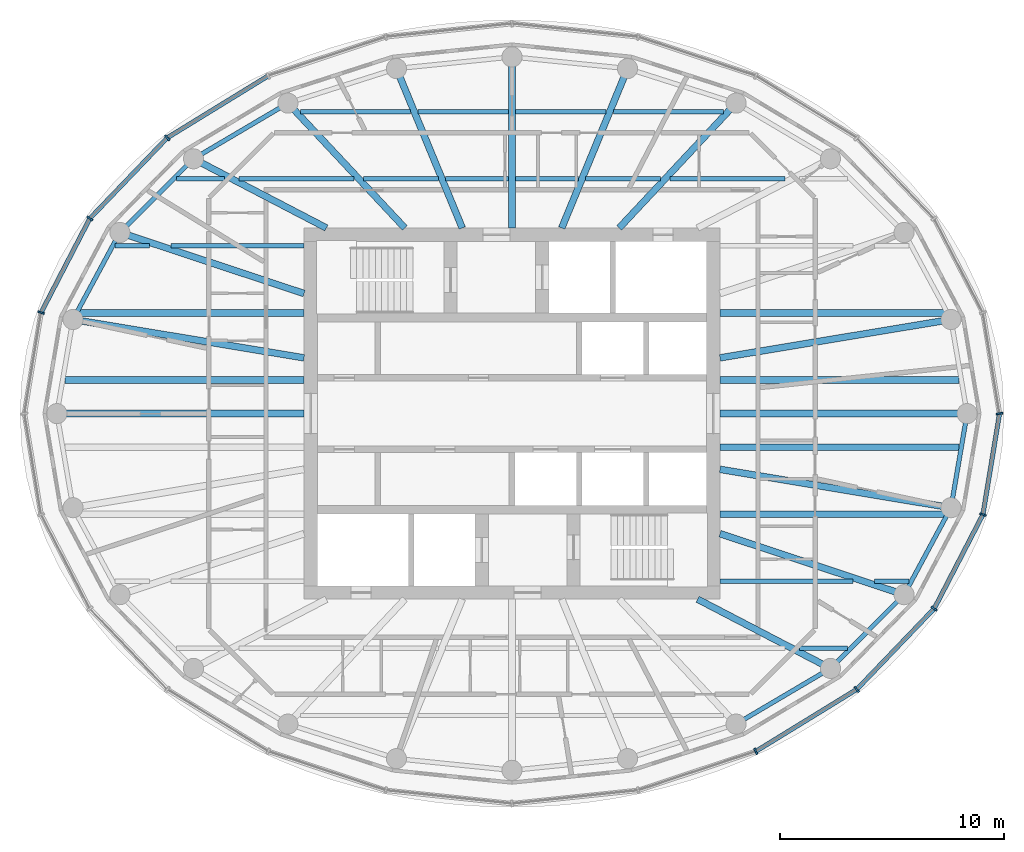
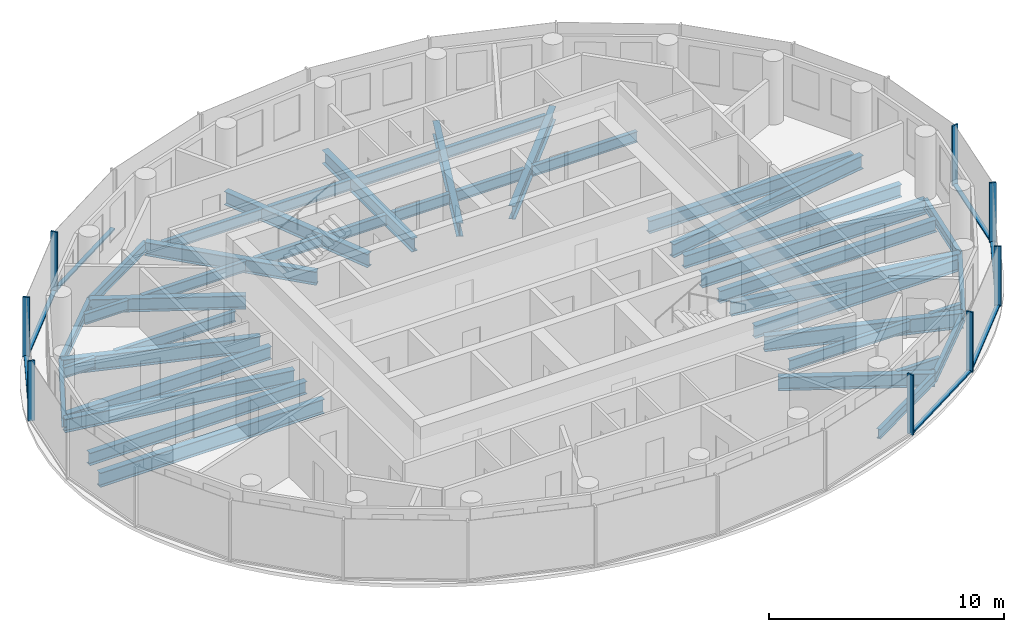
# One storey, part 2 of 11: 43 beams, 15 members, 3 elements without a shape of their own.
"""IFC4 building model written with IfcOpenShell, lengths in metres."""

from ifc_helpers import new_model, si_unit, direction, frame, origin, origin_2d, place, context, subcontext, project, spatial, rectangle, i_section, extrude, material, material_profile, profile_set, type_object, element, aggregate, save


model = new_model("IFC4")

# Units and contexts
model_context = context("Model", 3, precision=1e-05, world=origin(), true_north=direction((0.0, 1.0)))
body_context = subcontext(model_context, "Body", "Model", "MODEL_VIEW")
ifc_project = project(units=[si_unit("LENGTHUNIT", "METRE"), si_unit("AREAUNIT", "SQUARE_METRE"), si_unit("VOLUMEUNIT", "CUBIC_METRE"), si_unit("PLANEANGLEUNIT", "RADIAN"), si_unit("MASSUNIT", "GRAM", prefix="KILO")], contexts=[model_context])

# Site, building, storey
site_placement = place(None, origin())
site = spatial("IfcSite", under=ifc_project, at=site_placement, CompositionType="ELEMENT")
building_placement = place(site_placement, origin())
building = spatial("IfcBuilding", under=site, at=building_placement, Name="Hankou Lantern Tower", CompositionType="ELEMENT")
storey_placement = place(building_placement, frame((0.0, 0.0, 206.10009765625)))
storey = spatial("IfcBuildingStorey", under=building, at=storey_placement, Name="L55", CompositionType="ELEMENT", Elevation=206.10009765625)

# Beams
ifc_material_1 = material(Name="Steel Q355B", Category="steel")
ifc_material_profile_1 = material_profile(ifc_material_1, i_section(OverallWidth=0.199951171875, OverallDepth=0.5, WebThickness=0.010009765625, FlangeThickness=0.01611328125, FilletRadius=0.012939453125, at=origin_2d()), Name="HN500x200x10x16")
ifc_profile_set_1 = profile_set([ifc_material_profile_1], Name="Steel Q355B")
beam_type_1 = type_object("IfcBeamType", Name="EB5 RING BEAM HN500x200x10x16", PredefinedType="SPANDREL", material=ifc_profile_set_1)
beam_1_placement = place(storey_placement, frame((-10.01904296875, 13.8828125, -0.43017578125), z_axis=(-0.861422897323, -0.507888365655, 0.0), x_axis=(0.507888365655, -0.861422897323, 0.0)))
element("IfcBeam", 1, at=beam_1_placement, inside=storey, type_object=beam_type_1, Name="Ring beam R09-R10 L55", PredefinedType="SPANDREL", context=body_context, shape_type="SweptSolid", body=[
    extrude(i_section(OverallWidth=0.199951171875, OverallDepth=0.5, WebThickness=0.010009765625, FlangeThickness=0.01611328125, FilletRadius=0.012939453125, at=origin_2d()), origin(), (0.0, 0.0, 1.0), 4.901611328125),
])
beam_2_placement = place(storey_placement, frame((-14.241455078125, 11.393310546875, -0.43017578125), z_axis=(-0.706608588034, -0.707604623583, 0.0), x_axis=(0.707604623583, -0.706608588034, 0.0)))
element("IfcBeam", 2, at=beam_2_placement, inside=storey, type_object=beam_type_1, Name="Ring beam R10-R11 L55", PredefinedType="SPANDREL", context=body_context, shape_type="SweptSolid", body=[
    extrude(i_section(OverallWidth=0.199951171875, OverallDepth=0.5, WebThickness=0.010009765625, FlangeThickness=0.01611328125, FilletRadius=0.012939453125, at=origin_2d()), origin(), (0.0, 0.0, 1.0), 4.6572265625),
])
beam_3_placement = place(storey_placement, frame((-17.5322265625, 8.097900390625, -0.43017578125), z_axis=(-0.474491806611, -0.880259919262, 0.0), x_axis=(0.880259919262, -0.474491806611, 0.0)))
element("IfcBeam", 3, at=beam_3_placement, inside=storey, type_object=beam_type_1, Name="Ring beam R11-R12 L55", PredefinedType="SPANDREL", context=body_context, shape_type="SweptSolid", body=[
    extrude(i_section(OverallWidth=0.199951171875, OverallDepth=0.5, WebThickness=0.010009765625, FlangeThickness=0.01611328125, FilletRadius=0.012939453125, at=origin_2d()), origin(), (0.0, 0.0, 1.0), 4.419189453125),
])
beam_4_placement = place(storey_placement, frame((10.01904296875, -13.8828125, -0.43017578125), z_axis=(0.861422897323, 0.507888365655, 0.0), x_axis=(-0.507888365655, 0.861422897323, 0.0)))
element("IfcBeam", 4, at=beam_4_placement, inside=storey, type_object=beam_type_1, Name="Ring beam R21-R22 L55", PredefinedType="SPANDREL", context=body_context, shape_type="SweptSolid", body=[
    extrude(i_section(OverallWidth=0.199951171875, OverallDepth=0.5, WebThickness=0.010009765625, FlangeThickness=0.01611328125, FilletRadius=0.012939453125, at=origin_2d()), origin(), (0.0, 0.0, 1.0), 4.901611328125),
])
beam_5_placement = place(storey_placement, frame((14.241455078125, -11.393310546875, -0.43017578125), z_axis=(0.706608588034, 0.707604623583, 0.0), x_axis=(-0.707604623583, 0.706608588034, 0.0)))
element("IfcBeam", 5, at=beam_5_placement, inside=storey, type_object=beam_type_1, Name="Ring beam R22-R23 L55", PredefinedType="SPANDREL", context=body_context, shape_type="SweptSolid", body=[
    extrude(i_section(OverallWidth=0.199951171875, OverallDepth=0.5, WebThickness=0.010009765625, FlangeThickness=0.01611328125, FilletRadius=0.012939453125, at=origin_2d()), origin(), (0.0, 0.0, 1.0), 4.6572265625),
])
beam_6_placement = place(storey_placement, frame((17.5322265625, -8.097900390625, -0.43017578125), z_axis=(0.474491806611, 0.880259919262, 0.0), x_axis=(-0.880259919262, 0.474491806611, 0.0)))
element("IfcBeam", 6, at=beam_6_placement, inside=storey, type_object=beam_type_1, Name="Ring beam R23-R24 L55", PredefinedType="SPANDREL", context=body_context, shape_type="SweptSolid", body=[
    extrude(i_section(OverallWidth=0.199951171875, OverallDepth=0.5, WebThickness=0.010009765625, FlangeThickness=0.01611328125, FilletRadius=0.012939453125, at=origin_2d()), origin(), (0.0, 0.0, 1.0), 4.419189453125),
])
beam_7_placement = place(storey_placement, frame((19.629150390625, -4.207763671875, -0.43017578125), z_axis=(0.168876512999, 0.98563721691, 0.0), x_axis=(-0.98563721691, 0.168876512999, 0.0)))
element("IfcBeam", 7, at=beam_7_placement, inside=storey, type_object=beam_type_1, Name="Ring beam R24-R01 L55", PredefinedType="SPANDREL", context=body_context, shape_type="SweptSolid", body=[
    extrude(i_section(OverallWidth=0.199951171875, OverallDepth=0.5, WebThickness=0.010009765625, FlangeThickness=0.01611328125, FilletRadius=0.012939453125, at=origin_2d()), origin(), (0.0, 0.0, 1.0), 4.26904296875),
])

# Curtain wall, member
ifc_material_2 = material(Name="Glass, dark grey tinted laminated", Category="glass")
curtain_wall_type = type_object("IfcCurtainWallType", Name="CWD OUTER SKIN SUITE", PredefinedType="USERDEFINED", material=ifc_material_2)
curtain_wall_1_placement = place(storey_placement, origin())
curtain_wall_1 = element("IfcCurtainWall", 8, at=curtain_wall_1_placement, inside=storey, type_object=curtain_wall_type, Name="CWD L55 OS1", ObjectType="OUTER SKIN SUITE", PredefinedType="USERDEFINED")
ifc_material_3 = material(Name="Aluminium, black anodised", Category="aluminium")
ifc_material_profile_2 = material_profile(ifc_material_3, rectangle(XDim=0.080078125, YDim=0.300048828125, at=origin_2d()), Name="MU1 80X300")
ifc_profile_set_2 = profile_set([ifc_material_profile_2], Name="Aluminium, black anodised")
member_type_1 = type_object("IfcMemberType", Name="MU1 OUTER SKIN MULLION 80X300", PredefinedType="MULLION", material=ifc_profile_set_2)
member_1_placement = place(storey_placement, frame((21.800048828125, 0.0, 0.0), z_axis=(0.0, 0.0, 1.0), x_axis=(-0.162381515188, 0.986728049427, 0.0)))
member_1 = element("IfcMember", 9, at=member_1_placement, type_object=member_type_1, Name="CWD mullion 1", PredefinedType="MULLION", context=body_context, shape_type="SweptSolid", body=[
    extrude(rectangle(XDim=0.080078125, YDim=0.300048828125, at=origin_2d()), origin(), (0.0, 0.0, 1.0), 3.119873046875),
])
aggregate(curtain_wall_1, [member_1])

# Curtain wall, members
curtain_wall_2_placement = place(storey_placement, origin())
curtain_wall_2 = element("IfcCurtainWall", 10, at=curtain_wall_2_placement, inside=storey, type_object=curtain_wall_type, Name="CWD L55 OS2", ObjectType="OUTER SKIN SUITE", PredefinedType="USERDEFINED")
member_2_placement = place(storey_placement, frame((-15.4150390625, 12.33203125, 0.0), z_axis=(0.0, 0.0, 1.0), x_axis=(-0.780868809444, -0.624695047553, 0.0)))
member_2 = element("IfcMember", 11, at=member_2_placement, type_object=member_type_1, Name="CWD mullion 4", PredefinedType="MULLION", context=body_context, shape_type="SweptSolid", body=[
    extrude(rectangle(XDim=0.080078125, YDim=0.300048828125, at=origin_2d()), origin(), (0.0, 0.0, 1.0), 3.119873046875),
])
member_3_placement = place(storey_placement, frame((-18.87939453125, 8.719970703125, 0.0), z_axis=(0.0, 0.0, 1.0), x_axis=(-0.585205735974, -0.810884854084, 0.0)))
member_3 = element("IfcMember", 12, at=member_3_placement, type_object=member_type_1, Name="CWD mullion 5", PredefinedType="MULLION", context=body_context, shape_type="SweptSolid", body=[
    extrude(rectangle(XDim=0.080078125, YDim=0.300048828125, at=origin_2d()), origin(), (0.0, 0.0, 1.0), 3.119873046875),
])
member_4_placement = place(storey_placement, frame((-21.05712890625, 4.513916015625, 0.0), z_axis=(0.0, 0.0, 1.0), x_axis=(-0.317595577365, -0.94822626479, 0.0)))
member_4 = element("IfcMember", 13, at=member_4_placement, type_object=member_type_1, Name="CWD mullion 6", PredefinedType="MULLION", context=body_context, shape_type="SweptSolid", body=[
    extrude(rectangle(XDim=0.080078125, YDim=0.300048828125, at=origin_2d()), origin(), (0.0, 0.0, 1.0), 3.119873046875),
])

curtain_wall_3_placement = place(storey_placement, origin())
curtain_wall_3 = element("IfcCurtainWall", 14, at=curtain_wall_3_placement, inside=storey, type_object=curtain_wall_type, Name="CWD L55 OS4", ObjectType="OUTER SKIN SUITE", PredefinedType="USERDEFINED")
member_5_placement = place(storey_placement, frame((10.89990234375, -15.103515625, 0.0), z_axis=(0.0, 0.0, 1.0), x_axis=(0.907841299004, 0.419313934686, 0.0)))
member_5 = element("IfcMember", 15, at=member_5_placement, type_object=member_type_1, Name="CWD mullion 3", PredefinedType="MULLION", context=body_context, shape_type="SweptSolid", body=[
    extrude(rectangle(XDim=0.080078125, YDim=0.300048828125, at=origin_2d()), origin(), (0.0, 0.0, 1.0), 3.119873046875),
])
member_6_placement = place(storey_placement, frame((15.4150390625, -12.33203125, 0.0), z_axis=(0.0, 0.0, 1.0), x_axis=(0.780868809444, 0.624695047553, 0.0)))
member_6 = element("IfcMember", 16, at=member_6_placement, type_object=member_type_1, Name="CWD mullion 4", PredefinedType="MULLION", context=body_context, shape_type="SweptSolid", body=[
    extrude(rectangle(XDim=0.080078125, YDim=0.300048828125, at=origin_2d()), origin(), (0.0, 0.0, 1.0), 3.119873046875),
])
member_7_placement = place(storey_placement, frame((18.87939453125, -8.719970703125, 0.0), z_axis=(0.0, 0.0, 1.0), x_axis=(0.585205735974, 0.810884854084, 0.0)))
member_7 = element("IfcMember", 17, at=member_7_placement, type_object=member_type_1, Name="CWD mullion 5", PredefinedType="MULLION", context=body_context, shape_type="SweptSolid", body=[
    extrude(rectangle(XDim=0.080078125, YDim=0.300048828125, at=origin_2d()), origin(), (0.0, 0.0, 1.0), 3.119873046875),
])
member_8_placement = place(storey_placement, frame((21.05712890625, -4.513916015625, 0.0), z_axis=(0.0, 0.0, 1.0), x_axis=(0.317595577365, 0.94822626479, 0.0)))
member_8 = element("IfcMember", 18, at=member_8_placement, type_object=member_type_1, Name="CWD mullion 6", PredefinedType="MULLION", context=body_context, shape_type="SweptSolid", body=[
    extrude(rectangle(XDim=0.080078125, YDim=0.300048828125, at=origin_2d()), origin(), (0.0, 0.0, 1.0), 3.119873046875),
])

# Beams
ifc_material_4 = material(Name="Steel Q355B", Category="steel")
ifc_material_profile_3 = material_profile(ifc_material_4, i_section(OverallWidth=0.300048828125, OverallDepth=0.75, WebThickness=0.012939453125, FlangeThickness=0.02392578125, FilletRadius=0.01806640625, at=origin_2d()), Name="HN750x300x13x24")
ifc_profile_set_3 = profile_set([ifc_material_profile_3], Name="Steel Q355B")
beam_type_2 = type_object("IfcBeamType", Name="RB10 RADIAL BEAM HN750x300x13x24", PredefinedType="BEAM", material=ifc_profile_set_3)
for number, where, z_axis, x_axis, name in (
    (19, (9.300048828125, 0.0, -0.55517578125), (1.0, 0.0, 0.0), (0.0, 1.0, 0.0), "Radial beam R01 L55"),
    (20, (-9.300048828125, 0.0, -0.55517578125), (-1.0, 0.0, 0.0), (0.0, -1.0, 0.0), "Radial beam R13 L55"),
):
    element("IfcBeam", number, at=place(storey_placement, frame(where, z_axis=z_axis, x_axis=x_axis)), inside=storey, type_object=beam_type_2, Name=name, PredefinedType="BEAM", context=body_context, shape_type="SweptSolid", body=[
        extrude(i_section(OverallWidth=0.300048828125, OverallDepth=0.75, WebThickness=0.012939453125, FlangeThickness=0.02392578125, FilletRadius=0.01806640625, at=origin_2d()), origin(), (0.0, 0.0, 1.0), 11.050048828125),
    ])
ifc_material_5 = material(Name="Steel Q355B", Category="steel")
ifc_material_profile_4 = material_profile(ifc_material_5, i_section(OverallWidth=0.300048828125, OverallDepth=0.800048828125, WebThickness=0.013916015625, FlangeThickness=0.02587890625, FilletRadius=0.01806640625, at=origin_2d()), Name="HN800x300x14x26")
ifc_profile_set_4 = profile_set([ifc_material_profile_4], Name="Steel Q355B")
beam_type_3 = type_object("IfcBeamType", Name="RB11 RADIAL BEAM HN800x300x14x26", PredefinedType="BEAM", material=ifc_profile_set_4)
for number, where, z_axis, x_axis, name in (
    (21, (-9.300048828125, 5.369384765625, -0.580078125), (-0.949219608576, 0.314614263337, 0.0), (-0.314614263337, -0.949219608576, 0.0), "Radial beam R11 L55"),
    (22, (9.300048828125, -5.369384765625, -0.580078125), (0.949219608576, -0.314614263337, 0.0), (0.314614263337, 0.949219608576, 0.0), "Radial beam R23 L55"),
):
    element("IfcBeam", number, at=place(storey_placement, frame(where, z_axis=z_axis, x_axis=x_axis)), inside=storey, type_object=beam_type_3, Name=name, PredefinedType="BEAM", context=body_context, shape_type="SweptSolid", body=[
        extrude(i_section(OverallWidth=0.300048828125, OverallDepth=0.800048828125, WebThickness=0.013916015625, FlangeThickness=0.02587890625, FilletRadius=0.01806640625, at=origin_2d()), origin(), (0.0, 0.0, 1.0), 8.672607421875),
    ])
ifc_material_6 = material(Name="Steel Q355B", Category="steel")
ifc_material_profile_5 = material_profile(ifc_material_6, i_section(OverallWidth=0.300048828125, OverallDepth=0.699951171875, WebThickness=0.012939453125, FlangeThickness=0.02392578125, FilletRadius=0.01806640625, at=origin_2d()), Name="HN700x300x13x24")
ifc_profile_set_5 = profile_set([ifc_material_profile_5], Name="Steel Q355B")
beam_type_4 = type_object("IfcBeamType", Name="RB9 RADIAL BEAM HN700x300x13x24", PredefinedType="BEAM", material=ifc_profile_set_5)
beam_8_placement = place(storey_placement, frame((9.300048828125, 2.491943359375, -0.530029296875), z_axis=(0.986482007061, 0.163869612027, 0.0), x_axis=(-0.163869612027, 0.986482007061, 0.0)))
element("IfcBeam", 23, at=beam_8_placement, inside=storey, type_object=beam_type_4, Name="Radial beam R02 L55", PredefinedType="BEAM", context=body_context, shape_type="SweptSolid", body=[
    extrude(i_section(OverallWidth=0.300048828125, OverallDepth=0.699951171875, WebThickness=0.012939453125, FlangeThickness=0.02392578125, FilletRadius=0.01806640625, at=origin_2d()), origin(), (0.0, 0.0, 1.0), 10.470703125),
])
beam_9_placement = place(storey_placement, frame((4.7919921875, 8.300048828125, -0.530029296875), z_axis=(0.68346844743, 0.729980055459, 0.0), x_axis=(-0.729980055459, 0.68346844743, 0.0)))
element("IfcBeam", 24, at=beam_9_placement, inside=storey, type_object=beam_type_4, Name="Radial beam R05 L55", PredefinedType="BEAM", context=body_context, shape_type="SweptSolid", body=[
    extrude(i_section(OverallWidth=0.300048828125, OverallDepth=0.699951171875, WebThickness=0.012939453125, FlangeThickness=0.02392578125, FilletRadius=0.01806640625, at=origin_2d()), origin(), (0.0, 0.0, 1.0), 7.64794921875),
])
beam_10_placement = place(storey_placement, frame((2.223876953125, 8.300048828125, -0.530029296875), z_axis=(0.381706648123, 0.924283525104, 0.0), x_axis=(-0.924283525104, 0.381706648123, 0.0)))
element("IfcBeam", 25, at=beam_10_placement, inside=storey, type_object=beam_type_4, Name="Radial beam R06 L55", PredefinedType="BEAM", context=body_context, shape_type="SweptSolid", body=[
    extrude(i_section(OverallWidth=0.300048828125, OverallDepth=0.699951171875, WebThickness=0.012939453125, FlangeThickness=0.02392578125, FilletRadius=0.01806640625, at=origin_2d()), origin(), (0.0, 0.0, 1.0), 7.7109375),
])
beam_11_placement = place(storey_placement, frame((0.0, 8.300048828125, -0.530029296875), z_axis=(0.0, 1.0, 0.0), x_axis=(-1.0, 0.0, 0.0)))
element("IfcBeam", 26, at=beam_11_placement, inside=storey, type_object=beam_type_4, Name="Radial beam R07 L55", PredefinedType="BEAM", context=body_context, shape_type="SweptSolid", body=[
    extrude(i_section(OverallWidth=0.300048828125, OverallDepth=0.699951171875, WebThickness=0.012939453125, FlangeThickness=0.02392578125, FilletRadius=0.01806640625, at=origin_2d()), origin(), (0.0, 0.0, 1.0), 7.64990234375),
])
beam_12_placement = place(storey_placement, frame((-2.223876953125, 8.300048828125, -0.530029296875), z_axis=(-0.381706648123, 0.924283525104, 0.0), x_axis=(-0.924283525104, -0.381706648123, 0.0)))
element("IfcBeam", 27, at=beam_12_placement, inside=storey, type_object=beam_type_4, Name="Radial beam R08 L55", PredefinedType="BEAM", context=body_context, shape_type="SweptSolid", body=[
    extrude(i_section(OverallWidth=0.300048828125, OverallDepth=0.699951171875, WebThickness=0.012939453125, FlangeThickness=0.02392578125, FilletRadius=0.01806640625, at=origin_2d()), origin(), (0.0, 0.0, 1.0), 7.7109375),
])
beam_13_placement = place(storey_placement, frame((-4.7919921875, 8.300048828125, -0.530029296875), z_axis=(-0.68346844743, 0.729980055459, 0.0), x_axis=(-0.729980055459, -0.68346844743, 0.0)))
element("IfcBeam", 28, at=beam_13_placement, inside=storey, type_object=beam_type_4, Name="Radial beam R09 L55", PredefinedType="BEAM", context=body_context, shape_type="SweptSolid", body=[
    extrude(i_section(OverallWidth=0.300048828125, OverallDepth=0.699951171875, WebThickness=0.012939453125, FlangeThickness=0.02392578125, FilletRadius=0.01806640625, at=origin_2d()), origin(), (0.0, 0.0, 1.0), 7.64794921875),
])
beam_14_placement = place(storey_placement, frame((-8.300048828125, 8.300048828125, -0.530029296875), z_axis=(-0.886988734783, 0.461791061378, 0.0), x_axis=(-0.461791061378, -0.886988734783, 0.0)))
element("IfcBeam", 29, at=beam_14_placement, inside=storey, type_object=beam_type_4, Name="Radial beam R10 L55", PredefinedType="BEAM", context=body_context, shape_type="SweptSolid", body=[
    extrude(i_section(OverallWidth=0.300048828125, OverallDepth=0.699951171875, WebThickness=0.012939453125, FlangeThickness=0.02392578125, FilletRadius=0.01806640625, at=origin_2d()), origin(), (0.0, 0.0, 1.0), 6.698486328125),
])
beam_15_placement = place(storey_placement, frame((-9.300048828125, 2.491943359375, -0.530029296875), z_axis=(-0.986482007061, 0.163869612027, 0.0), x_axis=(-0.163869612027, -0.986482007061, 0.0)))
element("IfcBeam", 30, at=beam_15_placement, inside=storey, type_object=beam_type_4, Name="Radial beam R12 L55", PredefinedType="BEAM", context=body_context, shape_type="SweptSolid", body=[
    extrude(i_section(OverallWidth=0.300048828125, OverallDepth=0.699951171875, WebThickness=0.012939453125, FlangeThickness=0.02392578125, FilletRadius=0.01806640625, at=origin_2d()), origin(), (0.0, 0.0, 1.0), 10.470703125),
])
beam_16_placement = place(storey_placement, frame((8.300048828125, -8.300048828125, -0.530029296875), z_axis=(0.886988734783, -0.461791061378, 0.0), x_axis=(0.461791061378, 0.886988734783, 0.0)))
element("IfcBeam", 31, at=beam_16_placement, inside=storey, type_object=beam_type_4, Name="Radial beam R22 L55", PredefinedType="BEAM", context=body_context, shape_type="SweptSolid", body=[
    extrude(i_section(OverallWidth=0.300048828125, OverallDepth=0.699951171875, WebThickness=0.012939453125, FlangeThickness=0.02392578125, FilletRadius=0.01806640625, at=origin_2d()), origin(), (0.0, 0.0, 1.0), 6.698486328125),
])
beam_17_placement = place(storey_placement, frame((9.300048828125, -2.491943359375, -0.530029296875), z_axis=(0.986482007061, -0.163869612027, 0.0), x_axis=(0.163869612027, 0.986482007061, 0.0)))
element("IfcBeam", 32, at=beam_17_placement, inside=storey, type_object=beam_type_4, Name="Radial beam R24 L55", PredefinedType="BEAM", context=body_context, shape_type="SweptSolid", body=[
    extrude(i_section(OverallWidth=0.300048828125, OverallDepth=0.699951171875, WebThickness=0.012939453125, FlangeThickness=0.02392578125, FilletRadius=0.01806640625, at=origin_2d()), origin(), (0.0, 0.0, 1.0), 10.470703125),
])
ifc_material_7 = material(Name="Steel Q355B", Category="steel")
ifc_material_profile_6 = material_profile(ifc_material_7, i_section(OverallWidth=0.199951171875, OverallDepth=0.550048828125, WebThickness=0.010009765625, FlangeThickness=0.01611328125, FilletRadius=0.012939453125, at=origin_2d()), Name="HN550x200x10x16")
ifc_profile_set_6 = profile_set([ifc_material_profile_6], Name="Steel Q355B")
beam_type_5 = type_object("IfcBeamType", Name="SB6 SECONDARY BEAM HN550x200x10x16", PredefinedType="JOIST", material=ifc_profile_set_6)
beam_18_placement = place(storey_placement, frame((12.8505859375, -10.5, -0.455078125), z_axis=(1.0, 0.0, 0.0), x_axis=(0.0, 1.0, 0.0)))
element("IfcBeam", 33, at=beam_18_placement, inside=storey, type_object=beam_type_5, Name="Floor joist J012 L55", PredefinedType="JOIST", context=body_context, shape_type="SweptSolid", body=[
    extrude(i_section(OverallWidth=0.199951171875, OverallDepth=0.550048828125, WebThickness=0.010009765625, FlangeThickness=0.01611328125, FilletRadius=0.012939453125, at=origin_2d()), origin(), (0.0, 0.0, 1.0), 2.1416015625),
])
beam_19_placement = place(storey_placement, frame((9.300048828125, -7.5, -0.455078125), z_axis=(1.0, 0.0, 0.0), x_axis=(0.0, 1.0, 0.0)))
element("IfcBeam", 34, at=beam_19_placement, inside=storey, type_object=beam_type_5, Name="Floor joist J015 L55", PredefinedType="JOIST", context=body_context, shape_type="SweptSolid", body=[
    extrude(i_section(OverallWidth=0.199951171875, OverallDepth=0.550048828125, WebThickness=0.010009765625, FlangeThickness=0.01611328125, FilletRadius=0.012939453125, at=origin_2d()), origin(), (0.0, 0.0, 1.0), 5.95166015625),
])
for number, where, z_axis, x_axis, name in (
    (35, (16.205322265625, -7.5, -0.455078125), (1.0, 0.0, 0.0), (0.0, 1.0, 0.0), "Floor joist J016 L55"),
    (36, (-17.740966796875, 7.5, -0.455078125), (1.0, 0.0, 0.0), (0.0, 1.0, 0.0), "Floor joist J025 L55"),
):
    element("IfcBeam", number, at=place(storey_placement, frame(where, z_axis=z_axis, x_axis=x_axis)), inside=storey, type_object=beam_type_5, Name=name, PredefinedType="JOIST", context=body_context, shape_type="SweptSolid", body=[
        extrude(i_section(OverallWidth=0.199951171875, OverallDepth=0.550048828125, WebThickness=0.010009765625, FlangeThickness=0.01611328125, FilletRadius=0.012939453125, at=origin_2d()), origin(), (0.0, 0.0, 1.0), 1.53564453125),
    ])
beam_20_placement = place(storey_placement, frame((-15.251708984375, 7.5, -0.455078125), z_axis=(1.0, 0.0, 0.0), x_axis=(0.0, 1.0, 0.0)))
element("IfcBeam", 37, at=beam_20_placement, inside=storey, type_object=beam_type_5, Name="Floor joist J026 L55", PredefinedType="JOIST", context=body_context, shape_type="SweptSolid", body=[
    extrude(i_section(OverallWidth=0.199951171875, OverallDepth=0.550048828125, WebThickness=0.010009765625, FlangeThickness=0.01611328125, FilletRadius=0.012939453125, at=origin_2d()), origin(), (0.0, 0.0, 1.0), 5.95166015625),
])
beam_21_placement = place(storey_placement, frame((-14.9921875, 10.5, -0.455078125), z_axis=(1.0, 0.0, 0.0), x_axis=(0.0, 1.0, 0.0)))
element("IfcBeam", 38, at=beam_21_placement, inside=storey, type_object=beam_type_5, Name="Floor joist J029 L55", PredefinedType="JOIST", context=body_context, shape_type="SweptSolid", body=[
    extrude(i_section(OverallWidth=0.199951171875, OverallDepth=0.550048828125, WebThickness=0.010009765625, FlangeThickness=0.01611328125, FilletRadius=0.012939453125, at=origin_2d()), origin(), (0.0, 0.0, 1.0), 2.1416015625),
])
beam_22_placement = place(storey_placement, frame((-12.200927734375, 10.5, -0.455078125), z_axis=(1.0, 0.0, 0.0), x_axis=(0.0, 1.0, 0.0)))
element("IfcBeam", 39, at=beam_22_placement, inside=storey, type_object=beam_type_5, Name="Floor joist J030 L55", PredefinedType="JOIST", context=body_context, shape_type="SweptSolid", body=[
    extrude(i_section(OverallWidth=0.199951171875, OverallDepth=0.550048828125, WebThickness=0.010009765625, FlangeThickness=0.01611328125, FilletRadius=0.012939453125, at=origin_2d()), origin(), (0.0, 0.0, 1.0), 5.1435546875),
])
beam_23_placement = place(storey_placement, frame((-6.646240234375, 10.5, -0.455078125), z_axis=(1.0, 0.0, 0.0), x_axis=(0.0, 1.0, 0.0)))
element("IfcBeam", 40, at=beam_23_placement, inside=storey, type_object=beam_type_5, Name="Floor joist J031 L55", PredefinedType="JOIST", context=body_context, shape_type="SweptSolid", body=[
    extrude(i_section(OverallWidth=0.199951171875, OverallDepth=0.550048828125, WebThickness=0.010009765625, FlangeThickness=0.01611328125, FilletRadius=0.012939453125, at=origin_2d()), origin(), (0.0, 0.0, 1.0), 3.3515625),
])
for number, where, z_axis, x_axis, name in (
    (41, (-2.97021484375, 10.5, -0.455078125), (1.0, 0.0, 0.0), (0.0, 1.0, 0.0), "Floor joist J032 L55"),
    (42, (0.14990234375, 10.5, -0.455078125), (1.0, 0.0, 0.0), (0.0, 1.0, 0.0), "Floor joist J033 L55"),
):
    element("IfcBeam", number, at=place(storey_placement, frame(where, z_axis=z_axis, x_axis=x_axis)), inside=storey, type_object=beam_type_5, Name=name, PredefinedType="JOIST", context=body_context, shape_type="SweptSolid", body=[
        extrude(i_section(OverallWidth=0.199951171875, OverallDepth=0.550048828125, WebThickness=0.010009765625, FlangeThickness=0.01611328125, FilletRadius=0.012939453125, at=origin_2d()), origin(), (0.0, 0.0, 1.0), 2.8203125),
    ])
beam_24_placement = place(storey_placement, frame((3.294677734375, 10.5, -0.455078125), z_axis=(1.0, 0.0, 0.0), x_axis=(0.0, 1.0, 0.0)))
element("IfcBeam", 43, at=beam_24_placement, inside=storey, type_object=beam_type_5, Name="Floor joist J034 L55", PredefinedType="JOIST", context=body_context, shape_type="SweptSolid", body=[
    extrude(i_section(OverallWidth=0.199951171875, OverallDepth=0.550048828125, WebThickness=0.010009765625, FlangeThickness=0.01611328125, FilletRadius=0.012939453125, at=origin_2d()), origin(), (0.0, 0.0, 1.0), 3.3515625),
])
beam_25_placement = place(storey_placement, frame((7.057373046875, 10.5, -0.455078125), z_axis=(1.0, 0.0, 0.0), x_axis=(0.0, 1.0, 0.0)))
element("IfcBeam", 44, at=beam_25_placement, inside=storey, type_object=beam_type_5, Name="Floor joist J035 L55", PredefinedType="JOIST", context=body_context, shape_type="SweptSolid", body=[
    extrude(i_section(OverallWidth=0.199951171875, OverallDepth=0.550048828125, WebThickness=0.010009765625, FlangeThickness=0.01611328125, FilletRadius=0.012939453125, at=origin_2d()), origin(), (0.0, 0.0, 1.0), 5.1435546875),
])
beam_26_placement = place(storey_placement, frame((-9.455078125, 13.5, -0.455078125), z_axis=(1.0, 0.0, 0.0), x_axis=(0.0, 1.0, 0.0)))
element("IfcBeam", 45, at=beam_26_placement, inside=storey, type_object=beam_type_5, Name="Floor joist J037 L55", PredefinedType="JOIST", context=body_context, shape_type="SweptSolid", body=[
    extrude(i_section(OverallWidth=0.199951171875, OverallDepth=0.550048828125, WebThickness=0.010009765625, FlangeThickness=0.01611328125, FilletRadius=0.012939453125, at=origin_2d()), origin(), (0.0, 0.0, 1.0), 4.92138671875),
])
for number, where, z_axis, x_axis, name in (
    (46, (-4.208984375, 13.5, -0.455078125), (1.0, 0.0, 0.0), (0.0, 1.0, 0.0), "Floor joist J038 L55"),
    (47, (0.14990234375, 13.5, -0.455078125), (1.0, 0.0, 0.0), (0.0, 1.0, 0.0), "Floor joist J039 L55"),
):
    element("IfcBeam", number, at=place(storey_placement, frame(where, z_axis=z_axis, x_axis=x_axis)), inside=storey, type_object=beam_type_5, Name=name, PredefinedType="JOIST", context=body_context, shape_type="SweptSolid", body=[
        extrude(i_section(OverallWidth=0.199951171875, OverallDepth=0.550048828125, WebThickness=0.010009765625, FlangeThickness=0.01611328125, FilletRadius=0.012939453125, at=origin_2d()), origin(), (0.0, 0.0, 1.0), 4.05908203125),
    ])
beam_27_placement = place(storey_placement, frame((4.53369140625, 13.5, -0.455078125), z_axis=(1.0, 0.0, 0.0), x_axis=(0.0, 1.0, 0.0)))
element("IfcBeam", 48, at=beam_27_placement, inside=storey, type_object=beam_type_5, Name="Floor joist J040 L55", PredefinedType="JOIST", context=body_context, shape_type="SweptSolid", body=[
    extrude(i_section(OverallWidth=0.199951171875, OverallDepth=0.550048828125, WebThickness=0.010009765625, FlangeThickness=0.01611328125, FilletRadius=0.012939453125, at=origin_2d()), origin(), (0.0, 0.0, 1.0), 4.92138671875),
])
ifc_material_8 = material(Name="Steel Q355B", Category="steel")
ifc_material_profile_7 = material_profile(ifc_material_8, i_section(OverallWidth=0.300048828125, OverallDepth=0.64990234375, WebThickness=0.010986328125, FlangeThickness=0.01708984375, FilletRadius=0.01806640625, at=origin_2d()), Name="HN650x300x11x17")
ifc_profile_set_7 = profile_set([ifc_material_profile_7], Name="Steel Q355B")
beam_type_6 = type_object("IfcBeamType", Name="SB8 SECONDARY BEAM HN650x300x11x17", PredefinedType="JOIST", material=ifc_profile_set_7)
beam_28_placement = place(storey_placement, frame((9.300048828125, -4.5, -0.505126953125), z_axis=(1.0, 0.0, 0.0), x_axis=(0.0, 1.0, 0.0)))
element("IfcBeam", 49, at=beam_28_placement, inside=storey, type_object=beam_type_6, Name="Floor joist J018 L55", PredefinedType="JOIST", context=body_context, shape_type="SweptSolid", body=[
    extrude(i_section(OverallWidth=0.300048828125, OverallDepth=0.64990234375, WebThickness=0.010986328125, FlangeThickness=0.01708984375, FilletRadius=0.01806640625, at=origin_2d()), origin(), (0.0, 0.0, 1.0), 10.057861328125),
])
for number, where, z_axis, x_axis, name in (
    (50, (9.300048828125, -1.5, -0.505126953125), (1.0, 0.0, 0.0), (0.0, 1.0, 0.0), "Floor joist J020 L55"),
    (51, (-19.991455078125, 1.5, -0.505126953125), (1.0, 0.0, 0.0), (0.0, 1.0, 0.0), "Floor joist J021 L55"),
    (52, (9.300048828125, 1.5, -0.505126953125), (1.0, 0.0, 0.0), (0.0, 1.0, 0.0), "Floor joist J022 L55"),
):
    element("IfcBeam", number, at=place(storey_placement, frame(where, z_axis=z_axis, x_axis=x_axis)), inside=storey, type_object=beam_type_6, Name=name, PredefinedType="JOIST", context=body_context, shape_type="SweptSolid", body=[
        extrude(i_section(OverallWidth=0.300048828125, OverallDepth=0.64990234375, WebThickness=0.010986328125, FlangeThickness=0.01708984375, FilletRadius=0.01806640625, at=origin_2d()), origin(), (0.0, 0.0, 1.0), 10.69140625),
    ])
for number, where, z_axis, x_axis, name in (
    (53, (-19.35791015625, 4.5, -0.505126953125), (1.0, 0.0, 0.0), (0.0, 1.0, 0.0), "Floor joist J023 L55"),
    (54, (9.300048828125, 4.5, -0.505126953125), (1.0, 0.0, 0.0), (0.0, 1.0, 0.0), "Floor joist J024 L55"),
):
    element("IfcBeam", number, at=place(storey_placement, frame(where, z_axis=z_axis, x_axis=x_axis)), inside=storey, type_object=beam_type_6, Name=name, PredefinedType="JOIST", context=body_context, shape_type="SweptSolid", body=[
        extrude(i_section(OverallWidth=0.300048828125, OverallDepth=0.64990234375, WebThickness=0.010986328125, FlangeThickness=0.01708984375, FilletRadius=0.01806640625, at=origin_2d()), origin(), (0.0, 0.0, 1.0), 10.057861328125),
    ])

# Member
ifc_material_9 = material(Name="Aluminium, black anodised", Category="aluminium")
ifc_material_profile_8 = material_profile(ifc_material_9, rectangle(XDim=0.199951171875, YDim=0.080078125, at=origin_2d()), Name="TR1 200X80")
ifc_profile_set_8 = profile_set([ifc_material_profile_8], Name="Aluminium, black anodised")
member_type_2 = type_object("IfcMemberType", Name="TR1 OUTER SKIN TRANSOM 200X80", PredefinedType="USERDEFINED", material=ifc_profile_set_8)
member_9_placement = place(storey_placement, frame((-10.93408203125, 15.08251953125, 0.039794921875), z_axis=(-0.852234544008, -0.523159900986, 0.0), x_axis=(0.523159900986, -0.852234544008, 0.0)))
member_9 = element("IfcMember", 55, at=member_9_placement, type_object=member_type_2, Name="CWD transom 3", ObjectType="TRANSOM", PredefinedType="USERDEFINED", context=body_context, shape_type="SweptSolid", body=[
    extrude(rectangle(XDim=0.199951171875, YDim=0.080078125, at=origin_2d()), origin(), (0.0, 0.0, 1.0), 5.2177734375),
])

member_10_placement = place(storey_placement, frame((-15.442626953125, 12.302978515625, 0.039794921875), z_axis=(-0.692204633274, -0.721701285626, 0.0), x_axis=(0.721701285626, -0.692204633274, 0.0)))
member_10 = element("IfcMember", 56, at=member_10_placement, type_object=member_type_2, Name="CWD transom 4", ObjectType="TRANSOM", PredefinedType="USERDEFINED", context=body_context, shape_type="SweptSolid", body=[
    extrude(rectangle(XDim=0.199951171875, YDim=0.080078125, at=origin_2d()), origin(), (0.0, 0.0, 1.0), 4.9248046875),
])

member_11_placement = place(storey_placement, frame((-18.897705078125, 8.6845703125, 0.039794921875), z_axis=(-0.45979371115, -0.888025755925, 0.0), x_axis=(0.888025755925, -0.45979371115, 0.0)))
member_11 = element("IfcMember", 57, at=member_11_placement, type_object=member_type_2, Name="CWD transom 5", ObjectType="TRANSOM", PredefinedType="USERDEFINED", context=body_context, shape_type="SweptSolid", body=[
    extrude(rectangle(XDim=0.199951171875, YDim=0.080078125, at=origin_2d()), origin(), (0.0, 0.0, 1.0), 4.65673828125),
])

aggregate(curtain_wall_2, [member_2, member_3, member_4, member_9, member_10, member_11])

member_12_placement = place(storey_placement, frame((10.93408203125, -15.08251953125, 0.039794921875), z_axis=(0.852234544008, 0.523159900986, 0.0), x_axis=(-0.523159900986, 0.852234544008, 0.0)))
member_12 = element("IfcMember", 58, at=member_12_placement, type_object=member_type_2, Name="CWD transom 3", ObjectType="TRANSOM", PredefinedType="USERDEFINED", context=body_context, shape_type="SweptSolid", body=[
    extrude(rectangle(XDim=0.199951171875, YDim=0.080078125, at=origin_2d()), origin(), (0.0, 0.0, 1.0), 5.2177734375),
])

member_13_placement = place(storey_placement, frame((15.442626953125, -12.302978515625, 0.039794921875), z_axis=(0.692204633274, 0.721701285626, 0.0), x_axis=(-0.721701285626, 0.692204633274, 0.0)))
member_13 = element("IfcMember", 59, at=member_13_placement, type_object=member_type_2, Name="CWD transom 4", ObjectType="TRANSOM", PredefinedType="USERDEFINED", context=body_context, shape_type="SweptSolid", body=[
    extrude(rectangle(XDim=0.199951171875, YDim=0.080078125, at=origin_2d()), origin(), (0.0, 0.0, 1.0), 4.9248046875),
])

member_14_placement = place(storey_placement, frame((18.897705078125, -8.6845703125, 0.039794921875), z_axis=(0.45979371115, 0.888025755925, 0.0), x_axis=(-0.888025755925, 0.45979371115, 0.0)))
member_14 = element("IfcMember", 60, at=member_14_placement, type_object=member_type_2, Name="CWD transom 5", ObjectType="TRANSOM", PredefinedType="USERDEFINED", context=body_context, shape_type="SweptSolid", body=[
    extrude(rectangle(XDim=0.199951171875, YDim=0.080078125, at=origin_2d()), origin(), (0.0, 0.0, 1.0), 4.65673828125),
])

member_15_placement = place(storey_placement, frame((21.063720703125, -4.474365234375, 0.039794921875), z_axis=(0.162363822839, 0.986730960816, 0.0), x_axis=(-0.986730960816, 0.162363822839, 0.0)))
member_15 = element("IfcMember", 61, at=member_15_placement, type_object=member_type_2, Name="CWD transom 6", ObjectType="TRANSOM", PredefinedType="USERDEFINED", context=body_context, shape_type="SweptSolid", body=[
    extrude(rectangle(XDim=0.199951171875, YDim=0.080078125, at=origin_2d()), origin(), (0.0, 0.0, 1.0), 4.494384765625),
])

aggregate(curtain_wall_3, [member_5, member_6, member_7, member_8, member_12, member_13, member_14, member_15])

save(model, "model.ifc")
